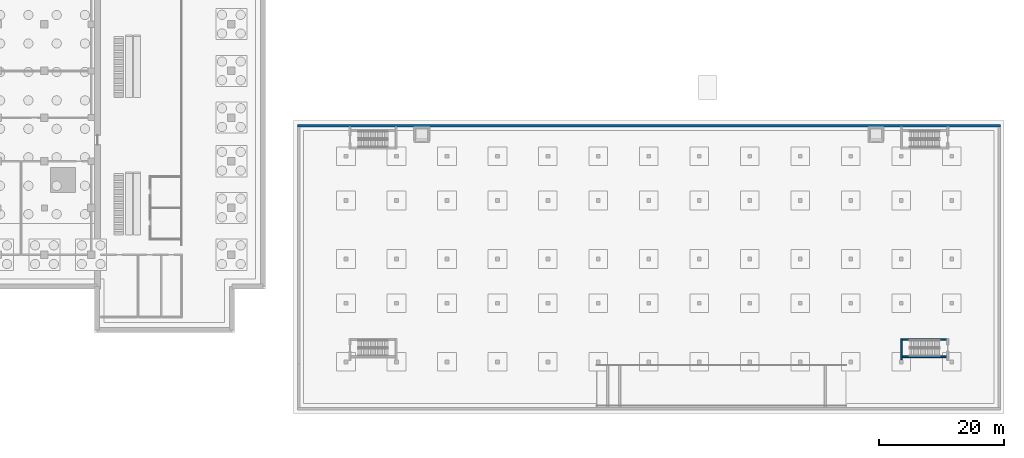
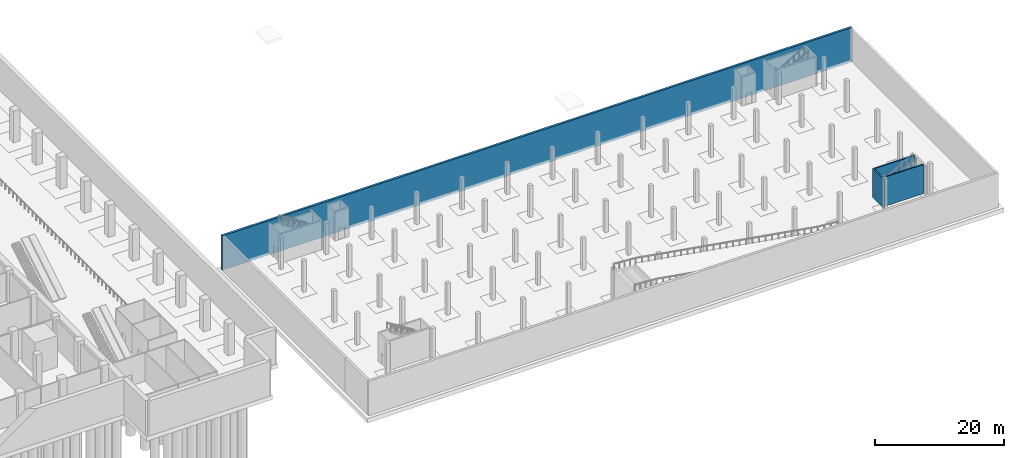
# One storey, part 18 of 39: 4 walls.
"""IFC4 building model written with IfcOpenShell, lengths in metres."""

from ifc_helpers import new_model, si_unit, direction, frame, frame_2d, origin, place, context, subcontext, project, spatial, rectangle, extrude, material, layer, layer_set, type_object, element, save


model = new_model("IFC4")

# Units and contexts
model_context = context("Model", 3, precision=1e-05, world=origin(), true_north=direction((0.0, 1.0)))
body_context = subcontext(model_context, "Body", "Model", "MODEL_VIEW")
ifc_project = project(units=[si_unit("LENGTHUNIT", "METRE"), si_unit("AREAUNIT", "SQUARE_METRE"), si_unit("VOLUMEUNIT", "CUBIC_METRE"), si_unit("PLANEANGLEUNIT", "RADIAN"), si_unit("MASSUNIT", "GRAM", prefix="KILO")], contexts=[model_context])

# Site, building, storey
site_placement = place(None, origin())
site = spatial("IfcSite", under=ifc_project, at=site_placement, CompositionType="ELEMENT")
building_placement = place(site_placement, origin())
building = spatial("IfcBuilding", under=site, at=building_placement, Name="Tamorin Gate", CompositionType="ELEMENT")
storey_placement = place(building_placement, frame((0.0, 0.0, -12.0)))
storey = spatial("IfcBuildingStorey", under=building, at=storey_placement, Name="B2", CompositionType="ELEMENT", Elevation=-12.0)

# Walls
ifc_material = material(Name="Concrete C40/50", Category="concrete")
ifc_layer_1 = layer(ifc_material, 0.39990234375)
ifc_layer_set_1 = layer_set([ifc_layer_1], Name="Car park retaining wall 400 C40/50")
wall_type_1 = type_object("IfcWallType", Name="Car park retaining wall 400 C40/50", PredefinedType="SHEAR", material=ifc_layer_set_1)
wall_1_placement = place(storey_placement, frame((122.60009765625, 51.199951171875, -0.5), z_axis=(0.0, 0.0, 1.0), x_axis=(1.0, 0.0, 0.0)))
element("IfcWall", 1, at=wall_1_placement, inside=storey, type_object=wall_type_1, Name="Retaining wall B2", PredefinedType="SHEAR", context=body_context, shape_type="SweptSolid", body=[
    extrude(rectangle(XDim=112.7998046875, YDim=0.39990234375, at=frame_2d((56.39990234375, 0.0))), origin(), (0.0, 0.0, 1.0), 6.5),
])
ifc_layer_2 = layer(ifc_material, 0.25)
ifc_layer_set_2 = layer_set([ifc_layer_2], Name="Stair and lift enclosure wall 250 C40/50")
wall_type_2 = type_object("IfcWallType", Name="Stair and lift enclosure wall 250 C40/50", PredefinedType="SHEAR", material=ifc_layer_set_2)
for number, where, z_axis, x_axis, name in (
    (2, (219.68994140625, 14.125, 0.0), (0.0, 0.0, 1.0), (1.0, 0.0, 0.0), "Stair SB8 wall"),
    (3, (219.68994140625, 16.925048828125, 0.0), (0.0, 0.0, 1.0), (1.0, 0.0, 0.0), "Stair SB8 wall"),
):
    element("IfcWall", number, at=place(storey_placement, frame(where, z_axis=z_axis, x_axis=x_axis)), inside=storey, type_object=wall_type_2, Name=name, PredefinedType="SHEAR", context=body_context, shape_type="SweptSolid", body=[
        extrude(rectangle(XDim=7.16015625, YDim=0.25, at=frame_2d((3.580078125, 0.0))), origin(), (0.0, 0.0, 1.0), 5.5),
    ])
wall_2_placement = place(storey_placement, frame((219.56494140625, 13.60009765625, 0.0), z_axis=(0.0, 0.0, 1.0), x_axis=(0.0, 1.0, 0.0)))
element("IfcWall", 4, at=wall_2_placement, inside=storey, type_object=wall_type_2, Name="Stair SB8 wall", PredefinedType="SHEAR", context=body_context, shape_type="SweptSolid", body=[
    extrude(rectangle(XDim=3.449951171875, YDim=0.25, at=frame_2d((1.72509765625, 0.0))), origin(), (0.0, 0.0, 1.0), 5.5),
])

save(model, "model.ifc")
